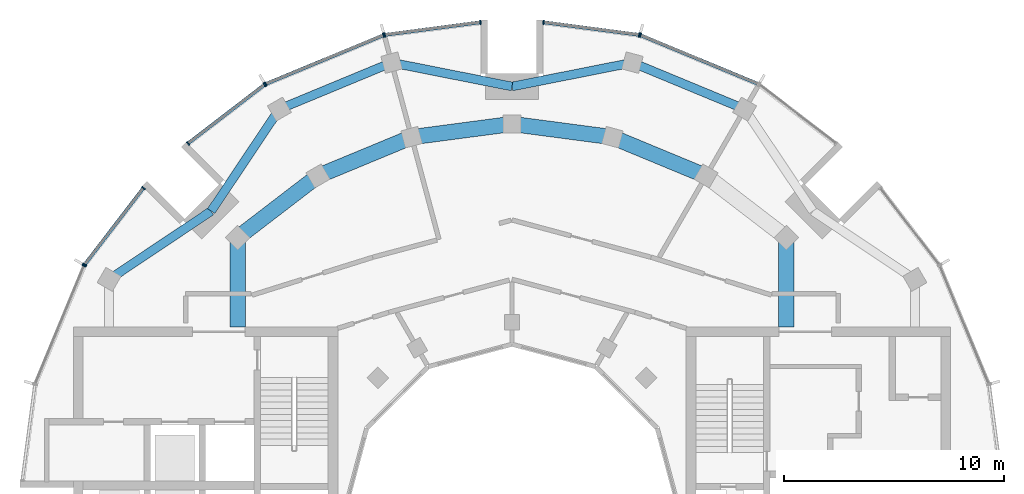
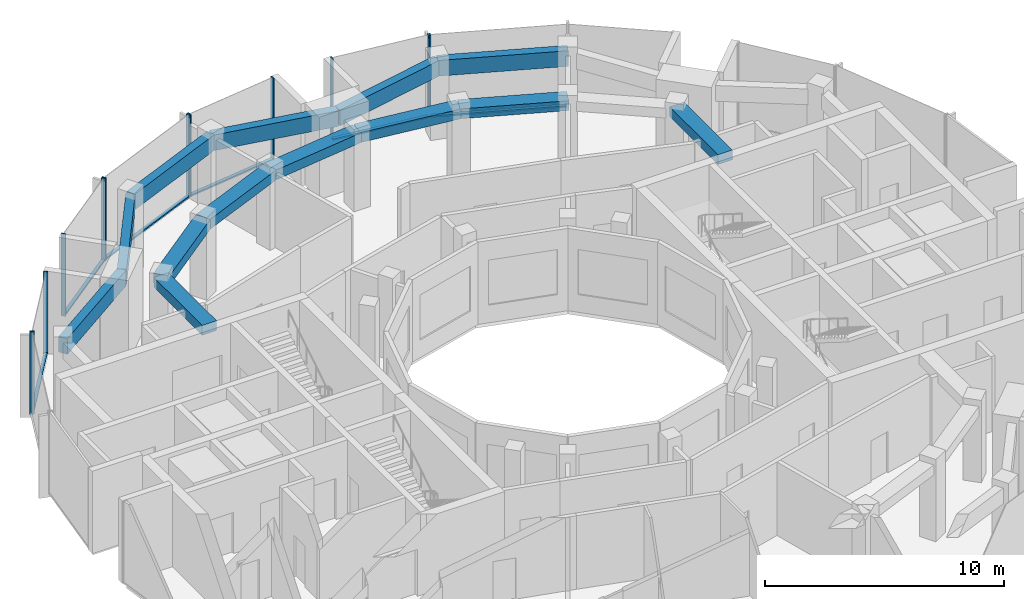
# One storey, part 5 of 13: 18 members, 13 beams, 7 elements without a shape of their own.
"""IFC4 building model written with IfcOpenShell, lengths in metres."""

from ifc_helpers import new_model, si_unit, direction, frame, origin, origin_2d, place, context, subcontext, project, spatial, rectangle, extrude, material, layer, layer_set, material_profile, profile_set, type_object, element, aggregate, save


model = new_model("IFC4")

# Units and contexts
model_context = context("Model", 3, precision=1e-05, world=origin(), true_north=direction((0.0, 1.0)))
body_context = subcontext(model_context, "Body", "Model", "MODEL_VIEW")
ifc_project = project(units=[si_unit("LENGTHUNIT", "METRE"), si_unit("AREAUNIT", "SQUARE_METRE"), si_unit("VOLUMEUNIT", "CUBIC_METRE"), si_unit("PLANEANGLEUNIT", "RADIAN"), si_unit("MASSUNIT", "GRAM", prefix="KILO")], contexts=[model_context])

# Site, building, storey
site_placement = place(None, origin())
site = spatial("IfcSite", under=ifc_project, at=site_placement, CompositionType="ELEMENT")
building_placement = place(site_placement, origin())
building = spatial("IfcBuilding", under=site, at=building_placement, Name="Torre Brocal", CompositionType="ELEMENT")
storey_placement = place(building_placement, frame((0.0, 0.0, 296.699951171875)))
storey = spatial("IfcBuildingStorey", under=building, at=storey_placement, Name="L68", CompositionType="ELEMENT", Elevation=296.699951171875)

# Curtain wall, member
ifc_material_1 = material(Name="Aluminium and glass", Category="aluminium")
ifc_layer = layer(ifc_material_1, 0.199951171875)
ifc_layer_set = layer_set([ifc_layer], Name="Aluminium and glass")
curtain_wall_type = type_object("IfcCurtainWallType", Name="CW-1 CURTAIN WALL 4200 HIGH", PredefinedType="NOTDEFINED", material=ifc_layer_set)
curtain_wall_1_placement = place(storey_placement, origin())
curtain_wall_1 = element("IfcCurtainWall", 1, at=curtain_wall_1_placement, inside=storey, type_object=curtain_wall_type, Name="CW-1 RUN 5", PredefinedType="NOTDEFINED")
ifc_material_2 = material(Name="Aluminium, dark anodised", Category="aluminium")
ifc_material_profile_1 = material_profile(ifc_material_2, rectangle(XDim=0.199951171875, YDim=0.06005859375, at=origin_2d()), Name="CW-1 MULLION 60X200")
ifc_profile_set_1 = profile_set([ifc_material_profile_1], Name="Aluminium, dark anodised")
member_type_1 = type_object("IfcMemberType", Name="CW-1 MULLION 60X200", PredefinedType="MULLION", material=ifc_profile_set_1)
member_1_placement = place(storey_placement, frame((85.824951171875, 96.62451171875, 0.0), z_axis=(0.0, 0.0, 1.0), x_axis=(-0.382683432284, -0.923879532545, 0.0)))
member_1 = element("IfcMember", 2, at=member_1_placement, type_object=member_type_1, Name="CW1-5 mullion 2", PredefinedType="MULLION", context=body_context, shape_type="SweptSolid", body=[
    extrude(rectangle(XDim=0.199951171875, YDim=0.06005859375, at=origin_2d()), origin(), (0.0, 0.0, 1.0), 4.199951171875),
])

# Curtain wall, members
curtain_wall_2_placement = place(storey_placement, origin())
curtain_wall_2 = element("IfcCurtainWall", 3, at=curtain_wall_2_placement, inside=storey, type_object=curtain_wall_type, Name="CW-1 RUN 6", PredefinedType="NOTDEFINED")
member_2_placement = place(storey_placement, frame((85.767578125, 96.639892578125, 0.0), z_axis=(0.0, 0.0, 1.0), x_axis=(-0.13052619222, -0.991444861374, 0.0)))
member_2 = element("IfcMember", 4, at=member_2_placement, type_object=member_type_1, Name="CW1-5 mullion 1", PredefinedType="MULLION", context=body_context, shape_type="SweptSolid", body=[
    extrude(rectangle(XDim=0.199951171875, YDim=0.06005859375, at=origin_2d()), origin(), (0.0, 0.0, 1.0), 4.199951171875),
])
member_3_placement = place(storey_placement, frame((81.4296875, 97.2109375, 0.0), z_axis=(0.0, 0.0, 1.0), x_axis=(-0.13052619222, -0.991444861374, 0.0)))
member_3 = element("IfcMember", 5, at=member_3_placement, type_object=member_type_1, Name="CW1-5 mullion 2", PredefinedType="MULLION", context=body_context, shape_type="SweptSolid", body=[
    extrude(rectangle(XDim=0.199951171875, YDim=0.06005859375, at=origin_2d()), origin(), (0.0, 0.0, 1.0), 4.199951171875),
])

curtain_wall_3_placement = place(storey_placement, origin())
curtain_wall_3 = element("IfcCurtainWall", 6, at=curtain_wall_3_placement, inside=storey, type_object=curtain_wall_type, Name="CW-1 RUN 7", PredefinedType="NOTDEFINED")
member_4_placement = place(storey_placement, frame((78.5703125, 97.2109375, 0.0), z_axis=(0.0, 0.0, 1.0), x_axis=(0.13052619222, -0.991444861374, 0.0)))
member_4 = element("IfcMember", 7, at=member_4_placement, type_object=member_type_1, Name="CW1-5 mullion 1", PredefinedType="MULLION", context=body_context, shape_type="SweptSolid", body=[
    extrude(rectangle(XDim=0.199951171875, YDim=0.06005859375, at=origin_2d()), origin(), (0.0, 0.0, 1.0), 4.199951171875),
])
member_5_placement = place(storey_placement, frame((74.232421875, 96.639892578125, 0.0), z_axis=(0.0, 0.0, 1.0), x_axis=(0.13052619222, -0.991444861374, 0.0)))
member_5 = element("IfcMember", 8, at=member_5_placement, type_object=member_type_1, Name="CW1-5 mullion 2", PredefinedType="MULLION", context=body_context, shape_type="SweptSolid", body=[
    extrude(rectangle(XDim=0.199951171875, YDim=0.06005859375, at=origin_2d()), origin(), (0.0, 0.0, 1.0), 4.199951171875),
])

curtain_wall_4_placement = place(storey_placement, origin())
curtain_wall_4 = element("IfcCurtainWall", 9, at=curtain_wall_4_placement, inside=storey, type_object=curtain_wall_type, Name="CW-1 RUN 8", PredefinedType="NOTDEFINED")
member_6_placement = place(storey_placement, frame((74.175048828125, 96.62451171875, 0.0), z_axis=(0.0, 0.0, 1.0), x_axis=(0.382683432284, -0.923879532545, 0.0)))
member_6 = element("IfcMember", 10, at=member_6_placement, type_object=member_type_1, Name="CW1-5 mullion 1", PredefinedType="MULLION", context=body_context, shape_type="SweptSolid", body=[
    extrude(rectangle(XDim=0.199951171875, YDim=0.06005859375, at=origin_2d()), origin(), (0.0, 0.0, 1.0), 4.199951171875),
])
member_7_placement = place(storey_placement, frame((68.828125, 94.40966796875, 0.0), z_axis=(0.0, 0.0, 1.0), x_axis=(0.382683432284, -0.923879532545, 0.0)))
member_7 = element("IfcMember", 11, at=member_7_placement, type_object=member_type_1, Name="CW1-5 mullion 2", PredefinedType="MULLION", context=body_context, shape_type="SweptSolid", body=[
    extrude(rectangle(XDim=0.199951171875, YDim=0.06005859375, at=origin_2d()), origin(), (0.0, 0.0, 1.0), 4.199951171875),
])

curtain_wall_5_placement = place(storey_placement, origin())
curtain_wall_5 = element("IfcCurtainWall", 12, at=curtain_wall_5_placement, inside=storey, type_object=curtain_wall_type, Name="CW-1 RUN 9", PredefinedType="NOTDEFINED")
member_8_placement = place(storey_placement, frame((68.776611328125, 94.3798828125, 0.0), z_axis=(0.0, 0.0, 1.0), x_axis=(0.608761429064, -0.793353340249, 0.0)))
member_8 = element("IfcMember", 13, at=member_8_placement, type_object=member_type_1, Name="CW1-5 mullion 1", PredefinedType="MULLION", context=body_context, shape_type="SweptSolid", body=[
    extrude(rectangle(XDim=0.199951171875, YDim=0.06005859375, at=origin_2d()), origin(), (0.0, 0.0, 1.0), 4.199951171875),
])
member_9_placement = place(storey_placement, frame((65.305419921875, 91.716552734375, 0.0), z_axis=(0.0, 0.0, 1.0), x_axis=(0.608761429064, -0.793353340249, 0.0)))
member_9 = element("IfcMember", 14, at=member_9_placement, type_object=member_type_1, Name="CW1-5 mullion 2", PredefinedType="MULLION", context=body_context, shape_type="SweptSolid", body=[
    extrude(rectangle(XDim=0.199951171875, YDim=0.06005859375, at=origin_2d()), origin(), (0.0, 0.0, 1.0), 4.199951171875),
])

curtain_wall_6_placement = place(storey_placement, origin())
curtain_wall_6 = element("IfcCurtainWall", 15, at=curtain_wall_6_placement, inside=storey, type_object=curtain_wall_type, Name="CW-1 RUN 10", PredefinedType="NOTDEFINED")
member_10_placement = place(storey_placement, frame((63.283447265625, 89.694580078125, 0.0), z_axis=(0.0, 0.0, 1.0), x_axis=(0.793353340249, -0.608761429064, 0.0)))
member_10 = element("IfcMember", 16, at=member_10_placement, type_object=member_type_1, Name="CW1-5 mullion 1", PredefinedType="MULLION", context=body_context, shape_type="SweptSolid", body=[
    extrude(rectangle(XDim=0.199951171875, YDim=0.06005859375, at=origin_2d()), origin(), (0.0, 0.0, 1.0), 4.199951171875),
])
member_11_placement = place(storey_placement, frame((60.6201171875, 86.223388671875, 0.0), z_axis=(0.0, 0.0, 1.0), x_axis=(0.793353340249, -0.608761429064, 0.0)))
member_11 = element("IfcMember", 17, at=member_11_placement, type_object=member_type_1, Name="CW1-5 mullion 2", PredefinedType="MULLION", context=body_context, shape_type="SweptSolid", body=[
    extrude(rectangle(XDim=0.199951171875, YDim=0.06005859375, at=origin_2d()), origin(), (0.0, 0.0, 1.0), 4.199951171875),
])

# Curtain wall, member
curtain_wall_7_placement = place(storey_placement, origin())
curtain_wall_7 = element("IfcCurtainWall", 18, at=curtain_wall_7_placement, inside=storey, type_object=curtain_wall_type, Name="CW-1 RUN 11", PredefinedType="NOTDEFINED")
member_12_placement = place(storey_placement, frame((60.59033203125, 86.171875, 0.0), z_axis=(0.0, 0.0, 1.0), x_axis=(0.923879532545, -0.382683432284, 0.0)))
member_12 = element("IfcMember", 19, at=member_12_placement, type_object=member_type_1, Name="CW1-5 mullion 1", PredefinedType="MULLION", context=body_context, shape_type="SweptSolid", body=[
    extrude(rectangle(XDim=0.199951171875, YDim=0.06005859375, at=origin_2d()), origin(), (0.0, 0.0, 1.0), 4.199951171875),
])
aggregate(curtain_wall_7, [member_12])

# Member
ifc_material_3 = material(Name="Aluminium, dark anodised", Category="aluminium")
ifc_material_profile_2 = material_profile(ifc_material_3, rectangle(XDim=0.159912109375, YDim=0.080078125, at=origin_2d()), Name="CW-1 TRANSOM 160X80")
ifc_profile_set_2 = profile_set([ifc_material_profile_2], Name="Aluminium, dark anodised")
member_type_2 = type_object("IfcMemberType", Name="CW-1 TRANSOM 160X80", PredefinedType="USERDEFINED", material=ifc_profile_set_2)
member_13_placement = place(storey_placement, frame((91.14404296875, 94.421142578125, 0.0400390625), z_axis=(-0.923868236854, 0.382710701355, 0.0), x_axis=(-0.382710701355, -0.923868236854, 0.0)))
member_13 = element("IfcMember", 20, at=member_13_placement, type_object=member_type_2, Name="CW1-5 transom 1.1", ObjectType="TRANSOM", PredefinedType="USERDEFINED", context=body_context, shape_type="SweptSolid", body=[
    extrude(rectangle(XDim=0.159912109375, YDim=0.080078125, at=origin_2d()), origin(), (0.0, 0.0, 1.0), 5.727294921875),
])

aggregate(curtain_wall_1, [member_1, member_13])

member_14_placement = place(storey_placement, frame((85.73779296875, 96.643798828125, 0.0400390625), z_axis=(-0.991445435136, 0.130521833991, 0.0), x_axis=(-0.130521833991, -0.991445435136, 0.0)))
member_14 = element("IfcMember", 21, at=member_14_placement, type_object=member_type_2, Name="CW1-5 transom 1.1", ObjectType="TRANSOM", PredefinedType="USERDEFINED", context=body_context, shape_type="SweptSolid", body=[
    extrude(rectangle(XDim=0.159912109375, YDim=0.080078125, at=origin_2d()), origin(), (0.0, 0.0, 1.0), 4.315185546875),
])

aggregate(curtain_wall_2, [member_2, member_3, member_14])

member_15_placement = place(storey_placement, frame((78.54052734375, 97.20703125, 0.0400390625), z_axis=(-0.991445435136, -0.130521833991, 0.0), x_axis=(0.130521833991, -0.991445435136, 0.0)))
member_15 = element("IfcMember", 22, at=member_15_placement, type_object=member_type_2, Name="CW1-5 transom 1.1", ObjectType="TRANSOM", PredefinedType="USERDEFINED", context=body_context, shape_type="SweptSolid", body=[
    extrude(rectangle(XDim=0.159912109375, YDim=0.080078125, at=origin_2d()), origin(), (0.0, 0.0, 1.0), 4.315185546875),
])

aggregate(curtain_wall_3, [member_4, member_5, member_15])

member_16_placement = place(storey_placement, frame((74.147216796875, 96.613037109375, 0.0400390625), z_axis=(-0.923868236854, -0.382710701355, 0.0), x_axis=(0.382710701355, -0.923868236854, 0.0)))
member_16 = element("IfcMember", 23, at=member_16_placement, type_object=member_type_2, Name="CW1-5 transom 1.1", ObjectType="TRANSOM", PredefinedType="USERDEFINED", context=body_context, shape_type="SweptSolid", body=[
    extrude(rectangle(XDim=0.159912109375, YDim=0.080078125, at=origin_2d()), origin(), (0.0, 0.0, 1.0), 5.727294921875),
])

aggregate(curtain_wall_4, [member_6, member_7, member_16])

member_17_placement = place(storey_placement, frame((68.7529296875, 94.36181640625, 0.0400390625), z_axis=(-0.793332201462, -0.608788976677, 0.0), x_axis=(0.608788976677, -0.793332201462, 0.0)))
member_17 = element("IfcMember", 24, at=member_17_placement, type_object=member_type_2, Name="CW1-5 transom 1.1", ObjectType="TRANSOM", PredefinedType="USERDEFINED", context=body_context, shape_type="SweptSolid", body=[
    extrude(rectangle(XDim=0.159912109375, YDim=0.080078125, at=origin_2d()), origin(), (0.0, 0.0, 1.0), 4.3154296875),
])

aggregate(curtain_wall_5, [member_8, member_9, member_17])

member_18_placement = place(storey_placement, frame((63.265380859375, 89.670654296875, 0.0400390625), z_axis=(-0.608788976677, -0.793332201462, 0.0), x_axis=(0.793332201462, -0.608788976677, 0.0)))
member_18 = element("IfcMember", 25, at=member_18_placement, type_object=member_type_2, Name="CW1-5 transom 1.1", ObjectType="TRANSOM", PredefinedType="USERDEFINED", context=body_context, shape_type="SweptSolid", body=[
    extrude(rectangle(XDim=0.159912109375, YDim=0.080078125, at=origin_2d()), origin(), (0.0, 0.0, 1.0), 4.3154296875),
])

aggregate(curtain_wall_6, [member_10, member_11, member_18])

# Beams
ifc_material_4 = material(Name="Concrete C50", Category="concrete")
ifc_material_profile_3 = material_profile(ifc_material_4, rectangle(XDim=0.699951171875, YDim=0.5, at=origin_2d()), Name="RC 700X500")
ifc_profile_set_3 = profile_set([ifc_material_profile_3], Name="Concrete C50")
beam_type_1 = type_object("IfcBeamType", Name="RC BEAM 700X500 C50 TOP 3880", PredefinedType="BEAM", material=ifc_profile_set_3)
beam_1_placement = place(storey_placement, frame((88.800048828125, 90.241943359375, 3.630126953125), z_axis=(-0.923878240166, 0.382686552348, 0.0), x_axis=(-0.382686552348, -0.923878240166, 0.0)))
element("IfcBeam", 26, at=beam_1_placement, inside=storey, type_object=beam_type_1, Name="Beam BT-37", PredefinedType="BEAM", context=body_context, shape_type="SweptSolid", body=[
    extrude(rectangle(XDim=0.699951171875, YDim=0.5, at=origin_2d()), origin(), (0.0, 0.0, 1.0), 4.5947265625),
])
for number, where, z_axis, x_axis, name in (
    (27, (84.55517578125, 92.000244140625, 3.630126953125), (-0.991440544449, 0.130558978332, 0.0), (-0.130558978332, -0.991440544449, 0.0), "Beam BT-37"),
    (28, (80.0, 92.60009765625, 3.630126953125), (-0.991440544449, -0.130558978332, 0.0), (0.130558978332, -0.991440544449, 0.0), "Beam BT-37"),
):
    element("IfcBeam", number, at=place(storey_placement, frame(where, z_axis=z_axis, x_axis=x_axis)), inside=storey, type_object=beam_type_1, Name=name, PredefinedType="BEAM", context=body_context, shape_type="SweptSolid", body=[
        extrude(rectangle(XDim=0.699951171875, YDim=0.5, at=origin_2d()), origin(), (0.0, 0.0, 1.0), 4.594482421875),
    ])
beam_2_placement = place(storey_placement, frame((75.44482421875, 92.000244140625, 3.630126953125), z_axis=(-0.923878240166, -0.382686552348, 0.0), x_axis=(0.382686552348, -0.923878240166, 0.0)))
element("IfcBeam", 29, at=beam_2_placement, inside=storey, type_object=beam_type_1, Name="Beam BT-37", PredefinedType="BEAM", context=body_context, shape_type="SweptSolid", body=[
    extrude(rectangle(XDim=0.699951171875, YDim=0.5, at=origin_2d()), origin(), (0.0, 0.0, 1.0), 4.5947265625),
])
beam_3_placement = place(storey_placement, frame((71.199951171875, 90.241943359375, 3.630126953125), z_axis=(-0.793358265959, -0.6087550097, 0.0), x_axis=(0.6087550097, -0.793358265959, 0.0)))
element("IfcBeam", 30, at=beam_3_placement, inside=storey, type_object=beam_type_1, Name="Beam BT-37", PredefinedType="BEAM", context=body_context, shape_type="SweptSolid", body=[
    extrude(rectangle(XDim=0.699951171875, YDim=0.5, at=origin_2d()), origin(), (0.0, 0.0, 1.0), 4.594482421875),
])
for number, where, z_axis, x_axis, name in (
    (31, (67.554931640625, 87.445068359375, 3.630126953125), (0.0, -1.0, 0.0), (1.0, 0.0, 0.0), "Beam BT-37"),
    (32, (92.445068359375, 87.445068359375, 3.630126953125), (0.0, -1.0, 0.0), (1.0, 0.0, 0.0), "Beam BT-37"),
):
    element("IfcBeam", number, at=place(storey_placement, frame(where, z_axis=z_axis, x_axis=x_axis)), inside=storey, type_object=beam_type_1, Name=name, PredefinedType="BEAM", context=body_context, shape_type="SweptSolid", body=[
        extrude(rectangle(XDim=0.699951171875, YDim=0.5, at=origin_2d()), origin(), (0.0, 0.0, 1.0), 4.045166015625),
    ])
ifc_material_5 = material(Name="Concrete C50", Category="concrete")
ifc_material_profile_4 = material_profile(ifc_material_5, rectangle(XDim=0.39990234375, YDim=0.800048828125, at=origin_2d()), Name="RC 400X800")
ifc_profile_set_4 = profile_set([ifc_material_profile_4], Name="Concrete C50")
beam_type_2 = type_object("IfcBeamType", Name="RC SPANDREL BEAM 400X800 C50 TOP 3880", PredefinedType="SPANDREL", material=ifc_profile_set_4)
beam_4_placement = place(storey_placement, frame((90.550048828125, 93.273193359375, 3.47998046875), z_axis=(-0.923877456038, 0.382688445377, 0.0), x_axis=(-0.382688445377, -0.923877456038, 0.0)))
element("IfcBeam", 33, at=beam_4_placement, inside=storey, type_object=beam_type_2, Name="Beam BT-47", PredefinedType="SPANDREL", context=body_context, shape_type="SweptSolid", body=[
    extrude(rectangle(XDim=0.39990234375, YDim=0.800048828125, at=origin_2d()), origin(), (0.0, 0.0, 1.0), 5.508056640625),
])
for number, where, z_axis, x_axis, name in (
    (34, (85.461181640625, 95.381103515625, 3.47998046875), (-0.980965024419, -0.194184502129, 0.0), (0.194184502129, -0.980965024419, 0.0), "Beam BT-47"),
    (35, (80.0, 94.300048828125, 3.47998046875), (-0.980965024419, 0.194184502129, 0.0), (-0.194184502129, -0.980965024419, 0.0), "Beam BT-47"),
):
    element("IfcBeam", number, at=place(storey_placement, frame(where, z_axis=z_axis, x_axis=x_axis)), inside=storey, type_object=beam_type_2, Name=name, PredefinedType="SPANDREL", context=body_context, shape_type="SweptSolid", body=[
        extrude(rectangle(XDim=0.39990234375, YDim=0.800048828125, at=origin_2d()), origin(), (0.0, 0.0, 1.0), 5.567138671875),
    ])
beam_5_placement = place(storey_placement, frame((74.538818359375, 95.381103515625, 3.47998046875), z_axis=(-0.923877456038, -0.382688445377, 0.0), x_axis=(0.382688445377, -0.923877456038, 0.0)))
element("IfcBeam", 36, at=beam_5_placement, inside=storey, type_object=beam_type_2, Name="Beam BT-47", PredefinedType="SPANDREL", context=body_context, shape_type="SweptSolid", body=[
    extrude(rectangle(XDim=0.39990234375, YDim=0.800048828125, at=origin_2d()), origin(), (0.0, 0.0, 1.0), 5.508056640625),
])
for number, where, z_axis, x_axis, name in (
    (37, (69.449951171875, 93.273193359375, 3.47998046875), (-0.556338604247, -0.830955689206, 0.0), (0.830955689206, -0.556338604247, 0.0), "Beam BT-47"),
    (38, (66.352783203125, 88.647216796875, 3.47998046875), (-0.830955689206, -0.556338604247, 0.0), (0.556338604247, -0.830955689206, 0.0), "Beam BT-47"),
):
    element("IfcBeam", number, at=place(storey_placement, frame(where, z_axis=z_axis, x_axis=x_axis)), inside=storey, type_object=beam_type_2, Name=name, PredefinedType="SPANDREL", context=body_context, shape_type="SweptSolid", body=[
        extrude(rectangle(XDim=0.39990234375, YDim=0.800048828125, at=origin_2d()), origin(), (0.0, 0.0, 1.0), 5.567138671875),
    ])

save(model, "model.ifc")
